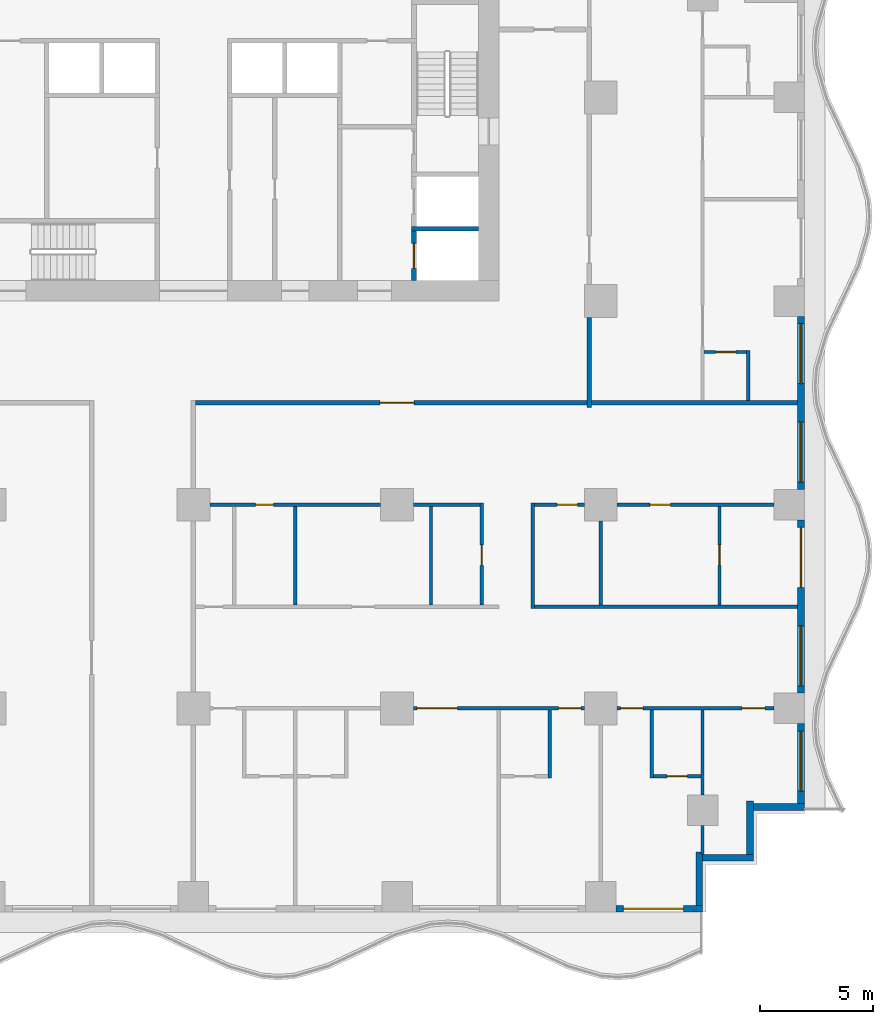
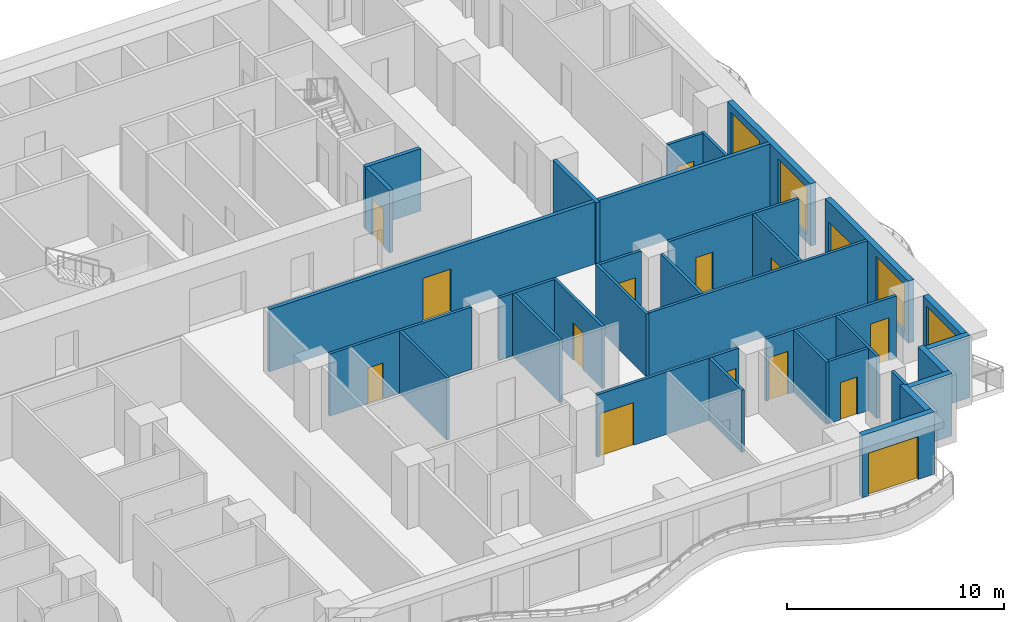
# One storey, part 4 of 14: 33 walls, 15 doors, 4 windows, 19 openings.
"""IFC4 building model written with IfcOpenShell, lengths in metres."""

from ifc_helpers import new_model, si_unit, direction, frame, frame_2d, origin, place, context, subcontext, project, spatial, rectangle, extrude, material, layer, layer_set, type_object, element, fill, save


model = new_model("IFC4")

# Units and contexts
model_context = context("Model", 3, precision=1e-05, world=origin(), true_north=direction((0.0, 1.0)))
body_context = subcontext(model_context, "Body", "Model", "MODEL_VIEW")
ifc_project = project(units=[si_unit("LENGTHUNIT", "METRE"), si_unit("AREAUNIT", "SQUARE_METRE"), si_unit("VOLUMEUNIT", "CUBIC_METRE"), si_unit("PLANEANGLEUNIT", "RADIAN"), si_unit("MASSUNIT", "GRAM", prefix="KILO")], contexts=[model_context])

# Site, building, storey
site_placement = place(None, origin())
site = spatial("IfcSite", under=ifc_project, at=site_placement, CompositionType="ELEMENT")
building_placement = place(site_placement, origin())
building = spatial("IfcBuilding", under=site, at=building_placement, Name="Orbiselva Terraces", CompositionType="ELEMENT")
storey_placement = place(building_placement, frame((0.0, 0.0, 60.6)))
storey = spatial("IfcBuildingStorey", under=building, at=storey_placement, Name="L15", CompositionType="ELEMENT", Elevation=60.6)

# Wall, opening, door
ifc_material_1 = material(Name="Concrete C60/75", Category="concrete")
ifc_layer_1 = layer(ifc_material_1, 0.2)
ifc_layer_set_1 = layer_set([ifc_layer_1], Name="Concrete C60/75")
wall_type_1 = type_object("IfcWallType", Name="CORE-WALL-SHEAR-200", PredefinedType="SHEAR", material=ifc_layer_set_1)
wall_1_placement = place(storey_placement, frame((9.75, 5.4, 0.0), z_axis=(0.0, 0.0, 1.0), x_axis=(0.0, 1.0, 0.0)))
wall_1 = element("IfcWall", 1, at=wall_1_placement, inside=storey, type_object=wall_type_1, Name="L15 core wall 36", PredefinedType="SHEAR", context=body_context, shape_type="SweptSolid", body=[
    extrude(rectangle(XDim=2.2, YDim=0.2, at=frame_2d((1.1, 0.0))), origin(), (0.0, 0.0, 1.0), 3.5),
])
opening_1_placement = place(wall_1_placement, frame((0.55, 0.0, 0.0)))
opening_1 = element("IfcOpeningElement", 2, at=opening_1_placement, cuts=wall_1, Name="Opening LD-FF1", PredefinedType="OPENING", context=body_context, shape_type="SweptSolid", body=[
    extrude(rectangle(XDim=1.1, YDim=2.1, at=frame_2d((0.55, 1.05))), frame((0.0, 0.11, 0.0), z_axis=(0.0, -1.0, 0.0), x_axis=(1.0, 0.0, 0.0)), (0.0, 0.0, 1.0), 0.22),
])
ifc_material_2 = material(Name="Stainless steel landing door", Category="steel")
door_type_1 = type_object("IfcDoorType", Name="LANDING DOOR 1100", OperationType="SLIDING_TO_LEFT", PredefinedType="DOOR", material=ifc_material_2)
door_1_placement = place(opening_1_placement, origin())
door_1 = element("IfcDoor", 3, at=door_1_placement, inside=storey, type_object=door_type_1, Name="L15 landing door FF1", OperationType="SLIDING_TO_RIGHT", OverallHeight=2.1, OverallWidth=1.1, PredefinedType="DOOR", context=body_context, shape_type="SweptSolid", body=[
    extrude(rectangle(XDim=1.1, YDim=2.1, at=frame_2d((0.55, 1.05))), frame((0.0, 0.025, 0.0), z_axis=(0.0, -1.0, 0.0), x_axis=(1.0, 0.0, 0.0)), (0.0, 0.0, 1.0), 0.05),
])
fill(opening_1, door_1)

# Wall
wall_2_placement = place(storey_placement, frame((9.65, 7.7, 0.0), z_axis=(0.0, 0.0, 1.0), x_axis=(1.0, 0.0, 0.0)))
element("IfcWall", 4, at=wall_2_placement, inside=storey, type_object=wall_type_1, Name="L15 core wall 37", PredefinedType="SHEAR", context=body_context, shape_type="SweptSolid", body=[
    extrude(rectangle(XDim=2.95, YDim=0.2, at=frame_2d((1.475, 0.0))), origin(), (0.0, 0.0, 1.0), 3.5),
])

# Wall, opening, door
ifc_material_3 = material(Name="Terracotta cladding on masonry backing", Category="masonry")
ifc_layer_2 = layer(ifc_material_3, 0.3)
ifc_layer_set_2 = layer_set([ifc_layer_2], Name="Terracotta cladding on masonry backing")
wall_type_2 = type_object("IfcWallType", Name="ENV-WALL-TERRACOTTA-300", PredefinedType="SOLIDWALL", material=ifc_layer_set_2)
wall_3_placement = place(storey_placement, frame((22.5, -22.35, 0.0), z_axis=(0.0, 0.0, 1.0), x_axis=(-1.0, 0.0, 0.0)))
wall_3 = element("IfcWall", 5, at=wall_3_placement, inside=storey, type_object=wall_type_2, Name="Facade wall L15 S", PredefinedType="SOLIDWALL", context=body_context, shape_type="SweptSolid", body=[
    extrude(rectangle(XDim=3.825, YDim=0.3, at=frame_2d((1.9125, 0.0))), origin(), (0.0, 0.0, 1.0), 3.5),
])
opening_2_placement = place(wall_3_placement, frame((0.85, 0.0, 0.0)))
opening_2 = element("IfcOpeningElement", 6, at=opening_2_placement, cuts=wall_3, Name="Opening Z1-E-E04", PredefinedType="OPENING", context=body_context, shape_type="SweptSolid", body=[
    extrude(rectangle(XDim=2.65, YDim=2.4, at=frame_2d((1.325, 1.2))), frame((0.0, 0.16, 0.0), z_axis=(0.0, -1.0, 0.0), x_axis=(1.0, 0.0, 0.0)), (0.0, 0.0, 1.0), 0.32),
])
ifc_material_4 = material(Name="Clear low-e glazing in aluminium frame", Category="aluminium")
door_type_2 = type_object("IfcDoorType", Name="BALCONY DOOR 2650 X 2400", OperationType="DOUBLE_DOOR_SLIDING", PredefinedType="DOOR", material=ifc_material_4)
door_2_placement = place(opening_2_placement, origin())
door_2 = element("IfcDoor", 7, at=door_2_placement, inside=storey, type_object=door_type_2, Name="Z1-E-E04", OperationType="SINGLE_SWING_LEFT", OverallHeight=2.4, OverallWidth=2.65, PredefinedType="DOOR", context=body_context, shape_type="SweptSolid", body=[
    extrude(rectangle(XDim=2.65, YDim=2.4, at=frame_2d((1.325, 1.2))), frame((0.0, 0.025, 0.0), z_axis=(0.0, -1.0, 0.0), x_axis=(1.0, 0.0, 0.0)), (0.0, 0.0, 1.0), 0.05),
])
fill(opening_2, door_2)

# Walls
wall_4_placement = place(storey_placement, frame((22.35, -19.85, 0.0), z_axis=(0.0, 0.0, 1.0), x_axis=(0.0, -1.0, 0.0)))
element("IfcWall", 8, at=wall_4_placement, inside=storey, type_object=wall_type_2, Name="Facade wall L15 STEP", PredefinedType="SOLIDWALL", context=body_context, shape_type="SweptSolid", body=[
    extrude(rectangle(XDim=2.35, YDim=0.3, at=frame_2d((1.175, 0.0))), origin(), (0.0, 0.0, 1.0), 3.5),
])
wall_5_placement = place(storey_placement, frame((24.75, -20.1, 0.0), z_axis=(0.0, 0.0, 1.0), x_axis=(-1.0, 0.0, 0.0)))
element("IfcWall", 9, at=wall_5_placement, inside=storey, type_object=wall_type_2, Name="Facade wall L15 STEP", PredefinedType="SOLIDWALL", context=body_context, shape_type="SweptSolid", body=[
    extrude(rectangle(XDim=2.25, YDim=0.3, at=frame_2d((1.125, 0.0))), origin(), (0.0, 0.0, 1.0), 3.5),
])
wall_6_placement = place(storey_placement, frame((24.6, -17.6, 0.0), z_axis=(0.0, 0.0, 1.0), x_axis=(0.0, -1.0, 0.0)))
element("IfcWall", 10, at=wall_6_placement, inside=storey, type_object=wall_type_2, Name="Facade wall L15 STEP", PredefinedType="SOLIDWALL", context=body_context, shape_type="SweptSolid", body=[
    extrude(rectangle(XDim=2.35, YDim=0.3, at=frame_2d((1.175, 0.0))), origin(), (0.0, 0.0, 1.0), 3.5),
])
wall_7_placement = place(storey_placement, frame((27.0, -17.85, 0.0), z_axis=(0.0, 0.0, 1.0), x_axis=(-1.0, 0.0, 0.0)))
element("IfcWall", 11, at=wall_7_placement, inside=storey, type_object=wall_type_2, Name="Facade wall L15 STEP", PredefinedType="SOLIDWALL", context=body_context, shape_type="SweptSolid", body=[
    extrude(rectangle(XDim=2.25, YDim=0.3, at=frame_2d((1.125, 0.0))), origin(), (0.0, 0.0, 1.0), 3.5),
])

# Wall, opening, window
wall_8_placement = place(storey_placement, frame((26.85, -14.175, 0.0), z_axis=(0.0, 0.0, 1.0), x_axis=(0.0, -1.0, 0.0)))
wall_8 = element("IfcWall", 12, at=wall_8_placement, inside=storey, type_object=wall_type_2, Name="Facade wall L15 E", PredefinedType="SOLIDWALL", context=body_context, shape_type="SweptSolid", body=[
    extrude(rectangle(XDim=3.525, YDim=0.3, at=frame_2d((1.7625, 0.0))), origin(), (0.0, 0.0, 1.0), 3.5),
])
opening_3_placement = place(wall_8_placement, frame((0.325, 0.0, 0.45)))
opening_3 = element("IfcOpeningElement", 13, at=opening_3_placement, cuts=wall_8, Name="Opening WN3", PredefinedType="OPENING", context=body_context, shape_type="SweptSolid", body=[
    extrude(rectangle(XDim=2.65, YDim=2.65, at=frame_2d((1.325, 1.325))), frame((0.0, 0.16, 0.0), z_axis=(0.0, -1.0, 0.0), x_axis=(1.0, 0.0, 0.0)), (0.0, 0.0, 1.0), 0.32),
])
window_type = type_object("IfcWindowType", Name="WINDOW 2650 X 2650 S450", PartitioningType="TRIPLE_PANEL_VERTICAL", PredefinedType="WINDOW", material=ifc_material_4)
window_1_placement = place(opening_3_placement, origin())
window_1 = element("IfcWindow", 14, at=window_1_placement, inside=storey, type_object=window_type, Name="Window L15 E", OverallHeight=2.65, OverallWidth=2.65, PartitioningType="SINGLE_PANEL", PredefinedType="WINDOW", context=body_context, shape_type="SweptSolid", body=[
    extrude(rectangle(XDim=2.65, YDim=2.65, at=frame_2d((1.325, 1.325))), frame((0.0, 0.03, 0.0), z_axis=(0.0, -1.0, 0.0), x_axis=(1.0, 0.0, 0.0)), (0.0, 0.0, 1.0), 0.06),
])
fill(opening_3, window_1)

# Wall, openings, door, window
wall_9_placement = place(storey_placement, frame((26.85, -5.175, 0.0), z_axis=(0.0, 0.0, 1.0), x_axis=(0.0, -1.0, 0.0)))
wall_9 = element("IfcWall", 15, at=wall_9_placement, inside=storey, type_object=wall_type_2, Name="Facade wall L15 E", PredefinedType="SOLIDWALL", context=body_context, shape_type="SweptSolid", body=[
    extrude(rectangle(XDim=7.65, YDim=0.3, at=frame_2d((3.825, 0.0))), origin(), (0.0, 0.0, 1.0), 3.5),
])
opening_4_placement = place(wall_9_placement, frame((4.675, 0.0, 0.45)))
opening_4 = element("IfcOpeningElement", 16, at=opening_4_placement, cuts=wall_9, Name="Opening WN3", PredefinedType="OPENING", context=body_context, shape_type="SweptSolid", body=[
    extrude(rectangle(XDim=2.65, YDim=2.65, at=frame_2d((1.325, 1.325))), frame((0.0, 0.16, 0.0), z_axis=(0.0, -1.0, 0.0), x_axis=(1.0, 0.0, 0.0)), (0.0, 0.0, 1.0), 0.32),
])
opening_5_placement = place(wall_9_placement, frame((0.325, 0.0, 0.0)))
opening_5 = element("IfcOpeningElement", 17, at=opening_5_placement, cuts=wall_9, Name="Opening Z1-E-E05", PredefinedType="OPENING", context=body_context, shape_type="SweptSolid", body=[
    extrude(rectangle(XDim=2.65, YDim=2.4, at=frame_2d((1.325, 1.2))), frame((0.0, 0.16, 0.0), z_axis=(0.0, -1.0, 0.0), x_axis=(1.0, 0.0, 0.0)), (0.0, 0.0, 1.0), 0.32),
])
door_3_placement = place(opening_5_placement, origin())
door_3 = element("IfcDoor", 18, at=door_3_placement, inside=storey, type_object=door_type_2, Name="Z1-E-E05", OperationType="SINGLE_SWING_LEFT", OverallHeight=2.4, OverallWidth=2.65, PredefinedType="DOOR", context=body_context, shape_type="SweptSolid", body=[
    extrude(rectangle(XDim=2.65, YDim=2.4, at=frame_2d((1.325, 1.2))), frame((0.0, 0.025, 0.0), z_axis=(0.0, -1.0, 0.0), x_axis=(1.0, 0.0, 0.0)), (0.0, 0.0, 1.0), 0.05),
])
fill(opening_5, door_3)
window_2_placement = place(opening_4_placement, origin())
window_2 = element("IfcWindow", 19, at=window_2_placement, inside=storey, type_object=window_type, Name="Window L15 E", OverallHeight=2.65, OverallWidth=2.65, PartitioningType="SINGLE_PANEL", PredefinedType="WINDOW", context=body_context, shape_type="SweptSolid", body=[
    extrude(rectangle(XDim=2.65, YDim=2.65, at=frame_2d((1.325, 1.325))), frame((0.0, 0.03, 0.0), z_axis=(0.0, -1.0, 0.0), x_axis=(1.0, 0.0, 0.0)), (0.0, 0.0, 1.0), 0.06),
])
fill(opening_4, window_2)

# Wall, openings, windows
wall_10_placement = place(storey_placement, frame((26.85, 3.825, 0.0), z_axis=(0.0, 0.0, 1.0), x_axis=(0.0, -1.0, 0.0)))
wall_10 = element("IfcWall", 20, at=wall_10_placement, inside=storey, type_object=wall_type_2, Name="Facade wall L15 E", PredefinedType="SOLIDWALL", context=body_context, shape_type="SweptSolid", body=[
    extrude(rectangle(XDim=7.65, YDim=0.3, at=frame_2d((3.825, 0.0))), origin(), (0.0, 0.0, 1.0), 3.5),
])
opening_6_placement = place(wall_10_placement, frame((4.675, 0.0, 0.45)))
opening_6 = element("IfcOpeningElement", 21, at=opening_6_placement, cuts=wall_10, Name="Opening WN3", PredefinedType="OPENING", context=body_context, shape_type="SweptSolid", body=[
    extrude(rectangle(XDim=2.65, YDim=2.65, at=frame_2d((1.325, 1.325))), frame((0.0, 0.16, 0.0), z_axis=(0.0, -1.0, 0.0), x_axis=(1.0, 0.0, 0.0)), (0.0, 0.0, 1.0), 0.32),
])
opening_7_placement = place(wall_10_placement, frame((0.325, 0.0, 0.45)))
opening_7 = element("IfcOpeningElement", 22, at=opening_7_placement, cuts=wall_10, Name="Opening WN3", PredefinedType="OPENING", context=body_context, shape_type="SweptSolid", body=[
    extrude(rectangle(XDim=2.65, YDim=2.65, at=frame_2d((1.325, 1.325))), frame((0.0, 0.16, 0.0), z_axis=(0.0, -1.0, 0.0), x_axis=(1.0, 0.0, 0.0)), (0.0, 0.0, 1.0), 0.32),
])
window_3_placement = place(opening_6_placement, origin())
window_3 = element("IfcWindow", 23, at=window_3_placement, inside=storey, type_object=window_type, Name="Window L15 E", OverallHeight=2.65, OverallWidth=2.65, PartitioningType="SINGLE_PANEL", PredefinedType="WINDOW", context=body_context, shape_type="SweptSolid", body=[
    extrude(rectangle(XDim=2.65, YDim=2.65, at=frame_2d((1.325, 1.325))), frame((0.0, 0.03, 0.0), z_axis=(0.0, -1.0, 0.0), x_axis=(1.0, 0.0, 0.0)), (0.0, 0.0, 1.0), 0.06),
])
fill(opening_6, window_3)
window_4_placement = place(opening_7_placement, origin())
window_4 = element("IfcWindow", 24, at=window_4_placement, inside=storey, type_object=window_type, Name="Window L15 E", OverallHeight=2.65, OverallWidth=2.65, PartitioningType="SINGLE_PANEL", PredefinedType="WINDOW", context=body_context, shape_type="SweptSolid", body=[
    extrude(rectangle(XDim=2.65, YDim=2.65, at=frame_2d((1.325, 1.325))), frame((0.0, 0.03, 0.0), z_axis=(0.0, -1.0, 0.0), x_axis=(1.0, 0.0, 0.0)), (0.0, 0.0, 1.0), 0.06),
])
fill(opening_7, window_4)

# Wall, opening, door
ifc_material_5 = material(Name="Plasterboard on steel stud partition", Category="steel")
ifc_layer_3 = layer(ifc_material_5, 0.2)
ifc_layer_set_3 = layer_set([ifc_layer_3], Name="Plasterboard on steel stud partition")
wall_type_3 = type_object("IfcWallType", Name="UNIT-ENTRANCE-WALL-200", PredefinedType="PARTITIONING", material=ifc_layer_set_3)
wall_11_placement = place(storey_placement, frame((17.4, 0.0, 0.0), z_axis=(0.0, 0.0, 1.0), x_axis=(-1.0, 0.0, 0.0)))
wall_11 = element("IfcWall", 25, at=wall_11_placement, inside=storey, type_object=wall_type_3, Name="PARTITION L15-030", PredefinedType="PARTITIONING", context=body_context, shape_type="SweptSolid", body=[
    extrude(rectangle(XDim=17.3, YDim=0.2, at=frame_2d((8.65, 0.0))), origin(), (0.0, 0.0, 1.0), 3.5),
])
opening_8_placement = place(wall_11_placement, frame((7.65, 0.0, 0.0)))
opening_8 = element("IfcOpeningElement", 26, at=opening_8_placement, cuts=wall_11, Name="Opening Z1-E-31", PredefinedType="OPENING", context=body_context, shape_type="SweptSolid", body=[
    extrude(rectangle(XDim=1.5, YDim=2.4, at=frame_2d((0.75, 1.2))), frame((0.0, 0.11, 0.0), z_axis=(0.0, -1.0, 0.0), x_axis=(1.0, 0.0, 0.0)), (0.0, 0.0, 1.0), 0.22),
])
ifc_material_6 = material(Name="Painted timber door leaf", Category="wood")
door_type_3 = type_object("IfcDoorType", Name="ENTRANCE DOUBLE DOOR 1500", OperationType="NOTDEFINED", PredefinedType="DOOR", material=ifc_material_6)
door_4_placement = place(opening_8_placement, origin())
door_4 = element("IfcDoor", 27, at=door_4_placement, inside=storey, type_object=door_type_3, Name="Z1-E-31", OperationType="DOUBLE_DOOR_SINGLE_SWING", OverallHeight=2.4, OverallWidth=1.5, PredefinedType="DOOR", context=body_context, shape_type="SweptSolid", body=[
    extrude(rectangle(XDim=1.5, YDim=2.4, at=frame_2d((0.75, 1.2))), frame((0.0, 0.025, 0.0), z_axis=(0.0, -1.0, 0.0), x_axis=(1.0, 0.0, 0.0)), (0.0, 0.0, 1.0), 0.05),
])
fill(opening_8, door_4)

# Wall
wall_12_placement = place(storey_placement, frame((17.5, -0.2, 0.0), z_axis=(0.0, 0.0, 1.0), x_axis=(0.0, 1.0, 0.0)))
element("IfcWall", 28, at=wall_12_placement, inside=storey, type_object=wall_type_3, Name="PARTITION L15-077", PredefinedType="PARTITIONING", context=body_context, shape_type="SweptSolid", body=[
    extrude(rectangle(XDim=3.975, YDim=0.2, at=frame_2d((1.9875, 0.0))), origin(), (0.0, 0.0, 1.0), 3.5),
])

# Wall, opening, door
ifc_layer_4 = layer(ifc_material_5, 0.15)
ifc_layer_set_4 = layer_set([ifc_layer_4], Name="Plasterboard on steel stud partition")
wall_type_4 = type_object("IfcWallType", Name="UNIT-PARTITION-150", PredefinedType="PARTITIONING", material=ifc_layer_set_4)
wall_13_placement = place(storey_placement, frame((20.325, -16.5, 0.0), z_axis=(0.0, 0.0, 1.0), x_axis=(1.0, 0.0, 0.0)))
wall_13 = element("IfcWall", 29, at=wall_13_placement, inside=storey, type_object=wall_type_4, Name="PARTITION L15-006", PredefinedType="PARTITIONING", context=body_context, shape_type="SweptSolid", body=[
    extrude(rectangle(XDim=2.1, YDim=0.15, at=frame_2d((1.05, 0.0))), origin(), (0.0, 0.0, 1.0), 3.5),
])
opening_9_placement = place(wall_13_placement, frame((0.6, 0.0, 0.0)))
opening_9 = element("IfcOpeningElement", 30, at=opening_9_placement, cuts=wall_13, Name="Opening Z1-E-46", PredefinedType="OPENING", context=body_context, shape_type="SweptSolid", body=[
    extrude(rectangle(XDim=0.9, YDim=2.1, at=frame_2d((0.45, 1.05))), frame((0.0, 0.085, 0.0), z_axis=(0.0, -1.0, 0.0), x_axis=(1.0, 0.0, 0.0)), (0.0, 0.0, 1.0), 0.17),
])
door_type_4 = type_object("IfcDoorType", Name="BATH DOOR 900", OperationType="NOTDEFINED", PredefinedType="DOOR", material=ifc_material_6)
door_5_placement = place(opening_9_placement, origin())
door_5 = element("IfcDoor", 31, at=door_5_placement, inside=storey, type_object=door_type_4, Name="Z1-E-46", OperationType="SINGLE_SWING_LEFT", OverallHeight=2.1, OverallWidth=0.9, PredefinedType="DOOR", context=body_context, shape_type="SweptSolid", body=[
    extrude(rectangle(XDim=0.9, YDim=2.1, at=frame_2d((0.45, 1.05))), frame((0.0, 0.025, 0.0), z_axis=(0.0, -1.0, 0.0), x_axis=(1.0, 0.0, 0.0)), (0.0, 0.0, 1.0), 0.05),
])
fill(opening_9, door_5)

# Wall, openings, doors
wall_14_placement = place(storey_placement, frame((17.275, -13.5, 0.0), z_axis=(0.0, 0.0, 1.0), x_axis=(-1.0, 0.0, 0.0)))
wall_14 = element("IfcWall", 32, at=wall_14_placement, inside=storey, type_object=wall_type_4, Name="PARTITION L15-011", PredefinedType="PARTITIONING", context=body_context, shape_type="SweptSolid", body=[
    extrude(rectangle(XDim=7.55, YDim=0.15, at=frame_2d((3.775, 0.0))), origin(), (0.0, 0.0, 1.0), 3.5),
])
opening_10_placement = place(wall_14_placement, frame((5.6, 0.0, 0.0)))
opening_10 = element("IfcOpeningElement", 33, at=opening_10_placement, cuts=wall_14, Name="Opening Z1-E-41", PredefinedType="OPENING", context=body_context, shape_type="SweptSolid", body=[
    extrude(rectangle(XDim=1.8, YDim=2.4, at=frame_2d((0.9, 1.2))), frame((0.0, 0.085, 0.0), z_axis=(0.0, -1.0, 0.0), x_axis=(1.0, 0.0, 0.0)), (0.0, 0.0, 1.0), 0.17),
])
opening_11_placement = place(wall_14_placement, frame((0.15, 0.0, 0.0)))
opening_11 = element("IfcOpeningElement", 34, at=opening_11_placement, cuts=wall_14, Name="Opening Z1-E-43", PredefinedType="OPENING", context=body_context, shape_type="SweptSolid", body=[
    extrude(rectangle(XDim=1.0, YDim=2.4, at=frame_2d((0.5, 1.2))), frame((0.0, 0.085, 0.0), z_axis=(0.0, -1.0, 0.0), x_axis=(1.0, 0.0, 0.0)), (0.0, 0.0, 1.0), 0.17),
])
door_type_5 = type_object("IfcDoorType", Name="DOUBLE DOOR 1800", OperationType="NOTDEFINED", PredefinedType="DOOR", material=ifc_material_6)
door_6_placement = place(opening_10_placement, origin())
door_6 = element("IfcDoor", 35, at=door_6_placement, inside=storey, type_object=door_type_5, Name="Z1-E-41", OperationType="DOUBLE_DOOR_SINGLE_SWING", OverallHeight=2.4, OverallWidth=1.8, PredefinedType="DOOR", context=body_context, shape_type="SweptSolid", body=[
    extrude(rectangle(XDim=1.8, YDim=2.4, at=frame_2d((0.9, 1.2))), frame((0.0, 0.025, 0.0), z_axis=(0.0, -1.0, 0.0), x_axis=(1.0, 0.0, 0.0)), (0.0, 0.0, 1.0), 0.05),
])
fill(opening_10, door_6)
door_type_6 = type_object("IfcDoorType", Name="ROOM DOOR 1000", OperationType="NOTDEFINED", PredefinedType="DOOR", material=ifc_material_6)
door_7_placement = place(opening_11_placement, origin())
door_7 = element("IfcDoor", 36, at=door_7_placement, inside=storey, type_object=door_type_6, Name="Z1-E-43", OperationType="SINGLE_SWING_LEFT", OverallHeight=2.4, OverallWidth=1.0, PredefinedType="DOOR", context=body_context, shape_type="SweptSolid", body=[
    extrude(rectangle(XDim=1.0, YDim=2.4, at=frame_2d((0.5, 1.2))), frame((0.0, 0.025, 0.0), z_axis=(0.0, -1.0, 0.0), x_axis=(1.0, 0.0, 0.0)), (0.0, 0.0, 1.0), 0.05),
])
fill(opening_11, door_7)

wall_15_placement = place(storey_placement, frame((25.65, -13.5, 0.0), z_axis=(0.0, 0.0, 1.0), x_axis=(-1.0, 0.0, 0.0)))
wall_15 = element("IfcWall", 37, at=wall_15_placement, inside=storey, type_object=wall_type_4, Name="PARTITION L15-012", PredefinedType="PARTITIONING", context=body_context, shape_type="SweptSolid", body=[
    extrude(rectangle(XDim=6.925, YDim=0.15, at=frame_2d((3.4625, 0.0))), origin(), (0.0, 0.0, 1.0), 3.5),
])
opening_12_placement = place(wall_15_placement, frame((5.775, 0.0, 0.0)))
opening_12 = element("IfcOpeningElement", 38, at=opening_12_placement, cuts=wall_15, Name="Opening Z1-E-45", PredefinedType="OPENING", context=body_context, shape_type="SweptSolid", body=[
    extrude(rectangle(XDim=1.0, YDim=2.4, at=frame_2d((0.5, 1.2))), frame((0.0, 0.085, 0.0), z_axis=(0.0, -1.0, 0.0), x_axis=(1.0, 0.0, 0.0)), (0.0, 0.0, 1.0), 0.17),
])
opening_13_placement = place(wall_15_placement, frame((0.4, 0.0, 0.0)))
opening_13 = element("IfcOpeningElement", 39, at=opening_13_placement, cuts=wall_15, Name="Opening Z1-E-47", PredefinedType="OPENING", context=body_context, shape_type="SweptSolid", body=[
    extrude(rectangle(XDim=1.0, YDim=2.4, at=frame_2d((0.5, 1.2))), frame((0.0, 0.085, 0.0), z_axis=(0.0, -1.0, 0.0), x_axis=(1.0, 0.0, 0.0)), (0.0, 0.0, 1.0), 0.17),
])
door_8_placement = place(opening_12_placement, origin())
door_8 = element("IfcDoor", 40, at=door_8_placement, inside=storey, type_object=door_type_6, Name="Z1-E-45", OperationType="SINGLE_SWING_RIGHT", OverallHeight=2.4, OverallWidth=1.0, PredefinedType="DOOR", context=body_context, shape_type="SweptSolid", body=[
    extrude(rectangle(XDim=1.0, YDim=2.4, at=frame_2d((0.5, 1.2))), frame((0.0, 0.025, 0.0), z_axis=(0.0, -1.0, 0.0), x_axis=(1.0, 0.0, 0.0)), (0.0, 0.0, 1.0), 0.05),
])
fill(opening_12, door_8)
door_9_placement = place(opening_13_placement, origin())
door_9 = element("IfcDoor", 41, at=door_9_placement, inside=storey, type_object=door_type_6, Name="Z1-E-47", OperationType="SINGLE_SWING_LEFT", OverallHeight=2.4, OverallWidth=1.0, PredefinedType="DOOR", context=body_context, shape_type="SweptSolid", body=[
    extrude(rectangle(XDim=1.0, YDim=2.4, at=frame_2d((0.5, 1.2))), frame((0.0, 0.025, 0.0), z_axis=(0.0, -1.0, 0.0), x_axis=(1.0, 0.0, 0.0)), (0.0, 0.0, 1.0), 0.05),
])
fill(opening_13, door_9)

# Wall
wall_16_placement = place(storey_placement, frame((15.075, -9.0, 0.0), z_axis=(0.0, 0.0, 1.0), x_axis=(1.0, 0.0, 0.0)))
element("IfcWall", 42, at=wall_16_placement, inside=storey, type_object=wall_type_4, Name="PARTITION L15-019", PredefinedType="PARTITIONING", context=body_context, shape_type="SweptSolid", body=[
    extrude(rectangle(XDim=11.625, YDim=0.15, at=frame_2d((5.8125, 0.0))), origin(), (0.0, 0.0, 1.0), 3.5),
])

# Wall, opening, door
wall_17_placement = place(storey_placement, frame((8.275, -4.5, 0.0), z_axis=(0.0, 0.0, 1.0), x_axis=(-1.0, 0.0, 0.0)))
wall_17 = element("IfcWall", 43, at=wall_17_placement, inside=storey, type_object=wall_type_4, Name="PARTITION L15-023", PredefinedType="PARTITIONING", context=body_context, shape_type="SweptSolid", body=[
    extrude(rectangle(XDim=7.55, YDim=0.15, at=frame_2d((3.775, 0.0))), origin(), (0.0, 0.0, 1.0), 3.5),
])
opening_14_placement = place(wall_17_placement, frame((4.725, 0.0, 0.0)))
opening_14 = element("IfcOpeningElement", 44, at=opening_14_placement, cuts=wall_17, Name="Opening Z1-E-33", PredefinedType="OPENING", context=body_context, shape_type="SweptSolid", body=[
    extrude(rectangle(XDim=0.8, YDim=2.0, at=frame_2d((0.4, 1.0))), frame((0.0, 0.085, 0.0), z_axis=(0.0, -1.0, 0.0), x_axis=(1.0, 0.0, 0.0)), (0.0, 0.0, 1.0), 0.17),
])
door_type_7 = type_object("IfcDoorType", Name="STORE DOOR 800", OperationType="NOTDEFINED", PredefinedType="DOOR", material=ifc_material_6)
door_10_placement = place(opening_14_placement, origin())
door_10 = element("IfcDoor", 45, at=door_10_placement, inside=storey, type_object=door_type_7, Name="Z1-E-33", OperationType="SINGLE_SWING_RIGHT", OverallHeight=2.0, OverallWidth=0.8, PredefinedType="DOOR", context=body_context, shape_type="SweptSolid", body=[
    extrude(rectangle(XDim=0.8, YDim=2.0, at=frame_2d((0.4, 1.0))), frame((0.0, 0.025, 0.0), z_axis=(0.0, -1.0, 0.0), x_axis=(1.0, 0.0, 0.0)), (0.0, 0.0, 1.0), 0.05),
])
fill(opening_14, door_10)

# Wall
wall_18_placement = place(storey_placement, frame((9.725, -4.5, 0.0), z_axis=(0.0, 0.0, 1.0), x_axis=(1.0, 0.0, 0.0)))
element("IfcWall", 46, at=wall_18_placement, inside=storey, type_object=wall_type_4, Name="PARTITION L15-024", PredefinedType="PARTITIONING", context=body_context, shape_type="SweptSolid", body=[
    extrude(rectangle(XDim=2.95, YDim=0.15, at=frame_2d((1.475, 0.0))), origin(), (0.0, 0.0, 1.0), 3.5),
])

# Wall, opening, door
wall_19_placement = place(storey_placement, frame((17.275, -4.5, 0.0), z_axis=(0.0, 0.0, 1.0), x_axis=(-1.0, 0.0, 0.0)))
wall_19 = element("IfcWall", 47, at=wall_19_placement, inside=storey, type_object=wall_type_4, Name="PARTITION L15-025", PredefinedType="PARTITIONING", context=body_context, shape_type="SweptSolid", body=[
    extrude(rectangle(XDim=2.2, YDim=0.15, at=frame_2d((1.1, 0.0))), origin(), (0.0, 0.0, 1.0), 3.5),
])
opening_15_placement = place(wall_19_placement, frame((0.3, 0.0, 0.0)))
opening_15 = element("IfcOpeningElement", 48, at=opening_15_placement, cuts=wall_19, Name="Opening Z1-E-36", PredefinedType="OPENING", context=body_context, shape_type="SweptSolid", body=[
    extrude(rectangle(XDim=0.9, YDim=2.1, at=frame_2d((0.45, 1.05))), frame((0.0, 0.085, 0.0), z_axis=(0.0, -1.0, 0.0), x_axis=(1.0, 0.0, 0.0)), (0.0, 0.0, 1.0), 0.17),
])
door_type_8 = type_object("IfcDoorType", Name="SERVICE DOOR 900", OperationType="NOTDEFINED", PredefinedType="DOOR", material=ifc_material_6)
door_11_placement = place(opening_15_placement, origin())
door_11 = element("IfcDoor", 49, at=door_11_placement, inside=storey, type_object=door_type_8, Name="Z1-E-36", OperationType="SINGLE_SWING_LEFT", OverallHeight=2.1, OverallWidth=0.9, PredefinedType="DOOR", context=body_context, shape_type="SweptSolid", body=[
    extrude(rectangle(XDim=0.9, YDim=2.1, at=frame_2d((0.45, 1.05))), frame((0.0, 0.025, 0.0), z_axis=(0.0, -1.0, 0.0), x_axis=(1.0, 0.0, 0.0)), (0.0, 0.0, 1.0), 0.05),
])
fill(opening_15, door_11)

wall_20_placement = place(storey_placement, frame((25.65, -4.5, 0.0), z_axis=(0.0, 0.0, 1.0), x_axis=(-1.0, 0.0, 0.0)))
wall_20 = element("IfcWall", 50, at=wall_20_placement, inside=storey, type_object=wall_type_4, Name="PARTITION L15-026", PredefinedType="PARTITIONING", context=body_context, shape_type="SweptSolid", body=[
    extrude(rectangle(XDim=6.925, YDim=0.15, at=frame_2d((3.4625, 0.0))), origin(), (0.0, 0.0, 1.0), 3.5),
])
opening_16_placement = place(wall_20_placement, frame((4.575, 0.0, 0.0)))
opening_16 = element("IfcOpeningElement", 51, at=opening_16_placement, cuts=wall_20, Name="Opening Z1-E-37", PredefinedType="OPENING", context=body_context, shape_type="SweptSolid", body=[
    extrude(rectangle(XDim=0.9, YDim=2.1, at=frame_2d((0.45, 1.05))), frame((0.0, 0.085, 0.0), z_axis=(0.0, -1.0, 0.0), x_axis=(1.0, 0.0, 0.0)), (0.0, 0.0, 1.0), 0.17),
])
door_12_placement = place(opening_16_placement, origin())
door_12 = element("IfcDoor", 52, at=door_12_placement, inside=storey, type_object=door_type_8, Name="Z1-E-37", OperationType="SINGLE_SWING_RIGHT", OverallHeight=2.1, OverallWidth=0.9, PredefinedType="DOOR", context=body_context, shape_type="SweptSolid", body=[
    extrude(rectangle(XDim=0.9, YDim=2.1, at=frame_2d((0.45, 1.05))), frame((0.0, 0.025, 0.0), z_axis=(0.0, -1.0, 0.0), x_axis=(1.0, 0.0, 0.0)), (0.0, 0.0, 1.0), 0.05),
])
fill(opening_16, door_12)

wall_21_placement = place(storey_placement, frame((24.45, 2.25, 0.0), z_axis=(0.0, 0.0, 1.0), x_axis=(-1.0, 0.0, 0.0)))
wall_21 = element("IfcWall", 53, at=wall_21_placement, inside=storey, type_object=wall_type_4, Name="PARTITION L15-033", PredefinedType="PARTITIONING", context=body_context, shape_type="SweptSolid", body=[
    extrude(rectangle(XDim=1.875, YDim=0.15, at=frame_2d((0.9375, 0.0))), origin(), (0.0, 0.0, 1.0), 3.5),
])
opening_17_placement = place(wall_21_placement, frame((0.475, 0.0, 0.0)))
opening_17 = element("IfcOpeningElement", 54, at=opening_17_placement, cuts=wall_21, Name="Opening Z1-E-11", PredefinedType="OPENING", context=body_context, shape_type="SweptSolid", body=[
    extrude(rectangle(XDim=0.9, YDim=2.1, at=frame_2d((0.45, 1.05))), frame((0.0, 0.085, 0.0), z_axis=(0.0, -1.0, 0.0), x_axis=(1.0, 0.0, 0.0)), (0.0, 0.0, 1.0), 0.17),
])
door_13_placement = place(opening_17_placement, origin())
door_13 = element("IfcDoor", 55, at=door_13_placement, inside=storey, type_object=door_type_4, Name="Z1-E-11", OperationType="SINGLE_SWING_LEFT", OverallHeight=2.1, OverallWidth=0.9, PredefinedType="DOOR", context=body_context, shape_type="SweptSolid", body=[
    extrude(rectangle(XDim=0.9, YDim=2.1, at=frame_2d((0.45, 1.05))), frame((0.0, 0.025, 0.0), z_axis=(0.0, -1.0, 0.0), x_axis=(1.0, 0.0, 0.0)), (0.0, 0.0, 1.0), 0.05),
])
fill(opening_17, door_13)

# Walls
for number, where, z_axis, x_axis, name in (
    (56, (4.5, -8.925, 0.0), (0.0, 0.0, 1.0), (0.0, 1.0, 0.0), "PARTITION L15-070"),
    (57, (10.5, -8.925, 0.0), (0.0, 0.0, 1.0), (0.0, 1.0, 0.0), "PARTITION L15-072"),
):
    element("IfcWall", number, at=place(storey_placement, frame(where, z_axis=z_axis, x_axis=x_axis)), inside=storey, type_object=wall_type_4, Name=name, PredefinedType="PARTITIONING", context=body_context, shape_type="SweptSolid", body=[
        extrude(rectangle(XDim=4.35, YDim=0.15, at=frame_2d((2.175, 0.0))), origin(), (0.0, 0.0, 1.0), 3.5),
    ])

# Wall, opening, door
wall_22_placement = place(storey_placement, frame((12.75, -8.925, 0.0), z_axis=(0.0, 0.0, 1.0), x_axis=(0.0, 1.0, 0.0)))
wall_22 = element("IfcWall", 58, at=wall_22_placement, inside=storey, type_object=wall_type_4, Name="PARTITION L15-073", PredefinedType="PARTITIONING", context=body_context, shape_type="SweptSolid", body=[
    extrude(rectangle(XDim=4.5, YDim=0.15, at=frame_2d((2.25, 0.0))), origin(), (0.0, 0.0, 1.0), 3.5),
])
opening_18_placement = place(wall_22_placement, frame((1.75, 0.0, 0.0)))
opening_18 = element("IfcOpeningElement", 59, at=opening_18_placement, cuts=wall_22, Name="Opening Z1-E-35", PredefinedType="OPENING", context=body_context, shape_type="SweptSolid", body=[
    extrude(rectangle(XDim=0.9, YDim=2.1, at=frame_2d((0.45, 1.05))), frame((0.0, 0.085, 0.0), z_axis=(0.0, -1.0, 0.0), x_axis=(1.0, 0.0, 0.0)), (0.0, 0.0, 1.0), 0.17),
])
door_14_placement = place(opening_18_placement, origin())
door_14 = element("IfcDoor", 60, at=door_14_placement, inside=storey, type_object=door_type_4, Name="Z1-E-35", OperationType="SINGLE_SWING_LEFT", OverallHeight=2.1, OverallWidth=0.9, PredefinedType="DOOR", context=body_context, shape_type="SweptSolid", body=[
    extrude(rectangle(XDim=0.9, YDim=2.1, at=frame_2d((0.45, 1.05))), frame((0.0, 0.025, 0.0), z_axis=(0.0, -1.0, 0.0), x_axis=(1.0, 0.0, 0.0)), (0.0, 0.0, 1.0), 0.05),
])
fill(opening_18, door_14)

# Walls
wall_23_placement = place(storey_placement, frame((15.0, -9.075, 0.0), z_axis=(0.0, 0.0, 1.0), x_axis=(0.0, 1.0, 0.0)))
element("IfcWall", 61, at=wall_23_placement, inside=storey, type_object=wall_type_4, Name="PARTITION L15-075", PredefinedType="PARTITIONING", context=body_context, shape_type="SweptSolid", body=[
    extrude(rectangle(XDim=4.65, YDim=0.15, at=frame_2d((2.325, 0.0))), origin(), (0.0, 0.0, 1.0), 3.5),
])
wall_24_placement = place(storey_placement, frame((15.75, -16.575, 0.0), z_axis=(0.0, 0.0, 1.0), x_axis=(0.0, 1.0, 0.0)))
element("IfcWall", 62, at=wall_24_placement, inside=storey, type_object=wall_type_4, Name="PARTITION L15-076", PredefinedType="PARTITIONING", context=body_context, shape_type="SweptSolid", body=[
    extrude(rectangle(XDim=3.0, YDim=0.15, at=frame_2d((1.5, 0.0))), origin(), (0.0, 0.0, 1.0), 3.5),
])
wall_25_placement = place(storey_placement, frame((18.0, -8.925, 0.0), z_axis=(0.0, 0.0, 1.0), x_axis=(0.0, 1.0, 0.0)))
element("IfcWall", 63, at=wall_25_placement, inside=storey, type_object=wall_type_4, Name="PARTITION L15-082", PredefinedType="PARTITIONING", context=body_context, shape_type="SweptSolid", body=[
    extrude(rectangle(XDim=3.7, YDim=0.15, at=frame_2d((1.85, 0.0))), origin(), (0.0, 0.0, 1.0), 3.5),
])
wall_26_placement = place(storey_placement, frame((20.25, -16.575, 0.0), z_axis=(0.0, 0.0, 1.0), x_axis=(0.0, 1.0, 0.0)))
element("IfcWall", 64, at=wall_26_placement, inside=storey, type_object=wall_type_4, Name="PARTITION L15-083", PredefinedType="PARTITIONING", context=body_context, shape_type="SweptSolid", body=[
    extrude(rectangle(XDim=3.0, YDim=0.15, at=frame_2d((1.5, 0.0))), origin(), (0.0, 0.0, 1.0), 3.5),
])
wall_27_placement = place(storey_placement, frame((22.5, -19.95, 0.0), z_axis=(0.0, 0.0, 1.0), x_axis=(0.0, 1.0, 0.0)))
element("IfcWall", 65, at=wall_27_placement, inside=storey, type_object=wall_type_4, Name="PARTITION L15-084", PredefinedType="PARTITIONING", context=body_context, shape_type="SweptSolid", body=[
    extrude(rectangle(XDim=1.275, YDim=0.15, at=frame_2d((0.6375, 0.0))), origin(), (0.0, 0.0, 1.0), 3.5),
])
wall_28_placement = place(storey_placement, frame((22.5, -17.325, 0.0), z_axis=(0.0, 0.0, 1.0), x_axis=(0.0, 1.0, 0.0)))
element("IfcWall", 66, at=wall_28_placement, inside=storey, type_object=wall_type_4, Name="PARTITION L15-085", PredefinedType="PARTITIONING", context=body_context, shape_type="SweptSolid", body=[
    extrude(rectangle(XDim=3.75, YDim=0.15, at=frame_2d((1.875, 0.0))), origin(), (0.0, 0.0, 1.0), 3.5),
])

# Wall, opening, door
wall_29_placement = place(storey_placement, frame((23.25, -4.575, 0.0), z_axis=(0.0, 0.0, 1.0), x_axis=(0.0, -1.0, 0.0)))
wall_29 = element("IfcWall", 67, at=wall_29_placement, inside=storey, type_object=wall_type_4, Name="PARTITION L15-088", PredefinedType="PARTITIONING", context=body_context, shape_type="SweptSolid", body=[
    extrude(rectangle(XDim=4.35, YDim=0.15, at=frame_2d((2.175, 0.0))), origin(), (0.0, 0.0, 1.0), 3.5),
])
opening_19_placement = place(wall_29_placement, frame((1.7, 0.0, 0.0)))
opening_19 = element("IfcOpeningElement", 68, at=opening_19_placement, cuts=wall_29, Name="Opening Z1-E-38", PredefinedType="OPENING", context=body_context, shape_type="SweptSolid", body=[
    extrude(rectangle(XDim=0.9, YDim=2.1, at=frame_2d((0.45, 1.05))), frame((0.0, 0.085, 0.0), z_axis=(0.0, -1.0, 0.0), x_axis=(1.0, 0.0, 0.0)), (0.0, 0.0, 1.0), 0.17),
])
door_15_placement = place(opening_19_placement, origin())
door_15 = element("IfcDoor", 69, at=door_15_placement, inside=storey, type_object=door_type_4, Name="Z1-E-38", OperationType="SINGLE_SWING_LEFT", OverallHeight=2.1, OverallWidth=0.9, PredefinedType="DOOR", context=body_context, shape_type="SweptSolid", body=[
    extrude(rectangle(XDim=0.9, YDim=2.1, at=frame_2d((0.45, 1.05))), frame((0.0, 0.025, 0.0), z_axis=(0.0, -1.0, 0.0), x_axis=(1.0, 0.0, 0.0)), (0.0, 0.0, 1.0), 0.05),
])
fill(opening_19, door_15)

# Walls
wall_30_placement = place(storey_placement, frame((24.525, 0.1, 0.0), z_axis=(0.0, 0.0, 1.0), x_axis=(0.0, 1.0, 0.0)))
element("IfcWall", 70, at=wall_30_placement, inside=storey, type_object=wall_type_4, Name="PARTITION L15-089", PredefinedType="PARTITIONING", context=body_context, shape_type="SweptSolid", body=[
    extrude(rectangle(XDim=2.225, YDim=0.15, at=frame_2d((1.1125, 0.0))), origin(), (0.0, 0.0, 1.0), 3.5),
])
ifc_layer_5 = layer(ifc_material_5, 0.2)
ifc_layer_set_5 = layer_set([ifc_layer_5], Name="Plasterboard on steel stud partition")
wall_type_5 = type_object("IfcWallType", Name="UNIT-PARTY-WALL-200", PredefinedType="PARTITIONING", material=ifc_layer_set_5)
wall_31_placement = place(storey_placement, frame((17.6, 0.0, 0.0), z_axis=(0.0, 0.0, 1.0), x_axis=(1.0, 0.0, 0.0)))
element("IfcWall", 71, at=wall_31_placement, inside=storey, type_object=wall_type_5, Name="PARTITION L15-032", PredefinedType="PARTITIONING", context=body_context, shape_type="SweptSolid", body=[
    extrude(rectangle(XDim=9.1, YDim=0.2, at=frame_2d((4.55, 0.0))), origin(), (0.0, 0.0, 1.0), 3.5),
])

save(model, "model.ifc")
